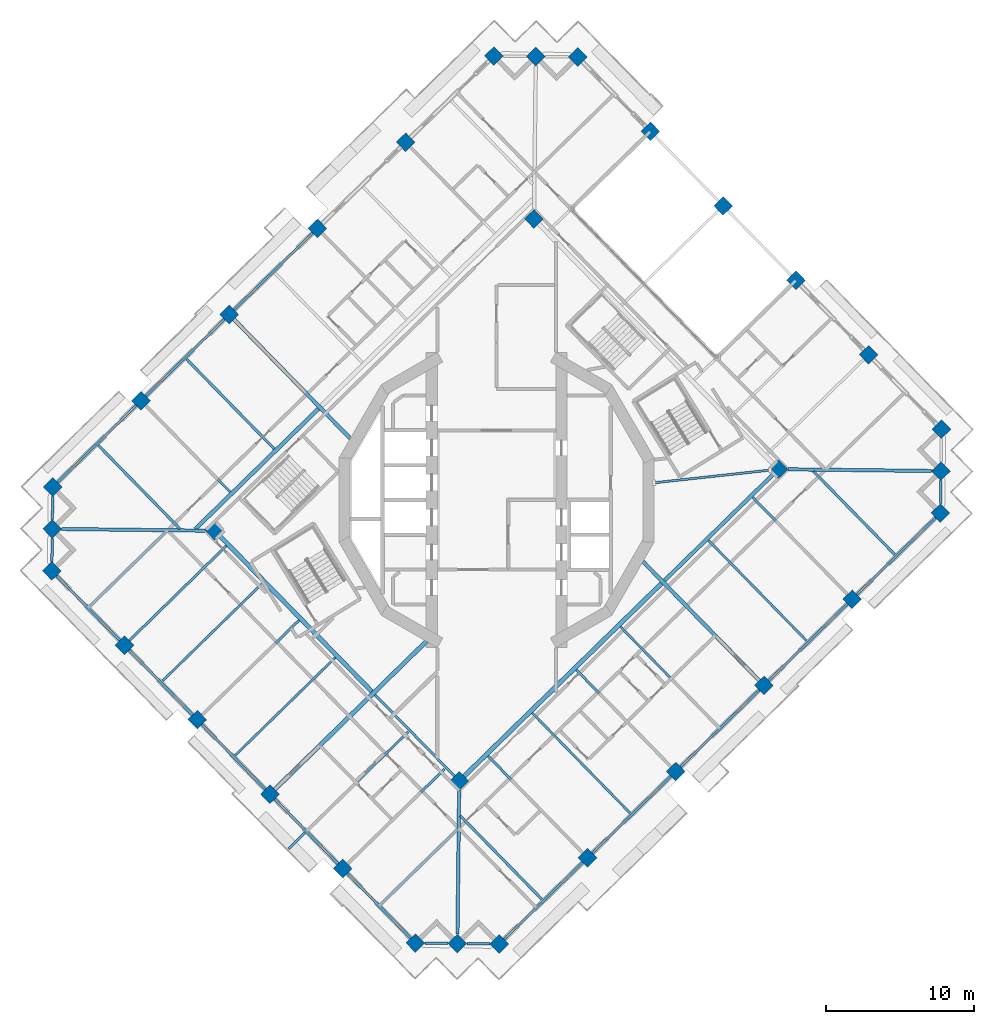
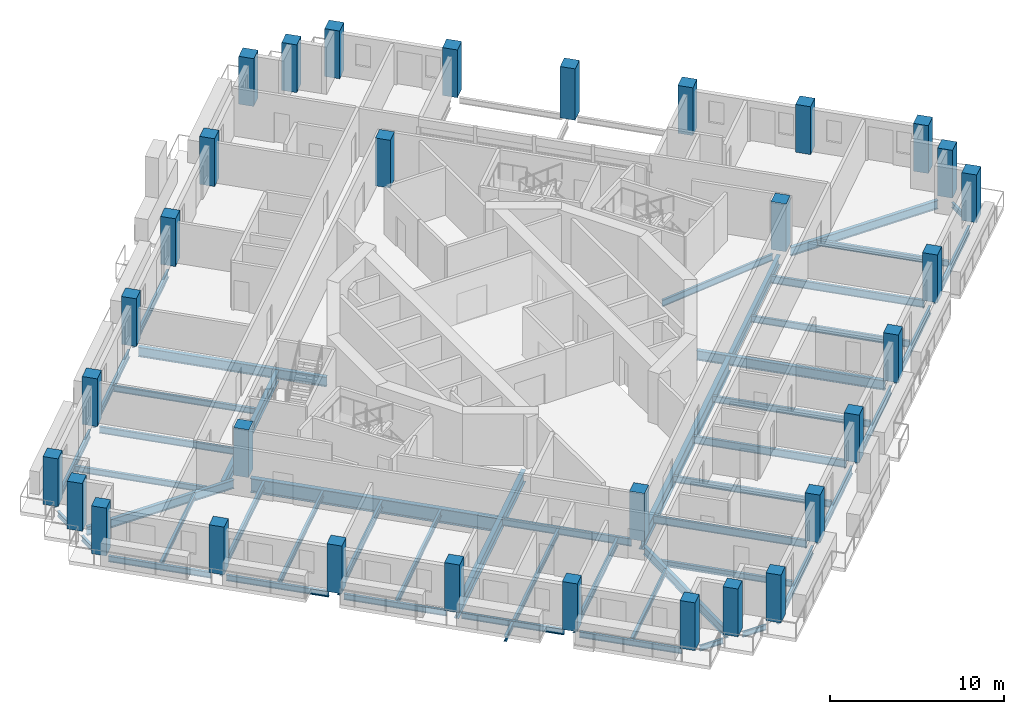
# One storey, part 1 of 20: 50 beams, 32 columns.
"""IFC4 building model written with IfcOpenShell, lengths in metres."""

import ifcopenshell
import ifcopenshell.guid

model = None  # the IFC model being written
_history = None  # IfcOwnerHistory: only IFC2X3 demands one
_inside = {}  # id of a spatial element -> (the spatial element, [elements in it])
_under = {}  # id of a project, library or spatial element -> (it, [spatial elements below it])
_declared = {}  # id of a project -> (the project, [libraries it declares])
_typed = {}  # id of a type object -> (the type object, [elements of that type])
_made_of = {}  # id of a material, layer set ... -> (it, [elements and type objects made of it])


def new_model(schema):
    """Start an empty IFC model of exactly this schema.

    Asked for "IFC4X3", IfcOpenShell would pick the latest addendum, in which some entities
    have other attributes; the version numbers below select the first issue.
    IFC2X3 requires an IfcOwnerHistory on every rooted entity: one is made here for all.
    """
    global model, _history
    if schema == "IFC4X3":
        model = ifcopenshell.file(schema_version=(4, 3, 0, 0))
    else:
        model = ifcopenshell.file(schema=schema)
    _inside.clear()
    _under.clear()
    _declared.clear()
    _typed.clear()
    _made_of.clear()
    _history = None
    if model.schema == "IFC2X3":
        org = make("IfcOrganization", Name="unknown")
        user = make(
            "IfcPersonAndOrganization",
            ThePerson=make("IfcPerson", FamilyName="unknown"),
            TheOrganization=org,
        )
        app = make(
            "IfcApplication",
            ApplicationDeveloper=org,
            Version="unknown",
            ApplicationFullName="unknown",
            ApplicationIdentifier="unknown",
        )
        _history = make(
            "IfcOwnerHistory",
            OwningUser=user,
            OwningApplication=app,
            ChangeAction="ADDED",
            CreationDate=0,
        )
    return model


def make(cls, **values):
    """One entity of the class cls with the attributes given. An attribute that is None is left unset."""
    return model.create_entity(
        cls, **{name: value for name, value in values.items() if value is not None}
    )


def rooted(cls, **values):
    """An entity with a GlobalId (a new one), such as an element, a storey or a relation."""
    return make(cls, GlobalId=ifcopenshell.guid.new(), OwnerHistory=_history, **values)


def si_unit(unit_type, name, prefix=None):
    """IfcSIUnit, for example si_unit("LENGTHUNIT", "METRE", prefix="MILLI")."""
    return make("IfcSIUnit", UnitType=unit_type, Prefix=prefix, Name=name)


def assignment(units):
    """IfcUnitAssignment: the units of a project."""
    return None if units is None else make("IfcUnitAssignment", Units=units)


def point(xyz):
    """IfcCartesianPoint."""
    return None if xyz is None else make("IfcCartesianPoint", Coordinates=xyz)


def direction(xyz):
    """IfcDirection."""
    return None if xyz is None else make("IfcDirection", DirectionRatios=xyz)


def frame(location, z_axis=None, x_axis=None):
    """IfcAxis2Placement3D, a coordinate frame: its origin and axes. An axis left out is left unset."""
    return make(
        "IfcAxis2Placement3D",
        Location=point(location),
        Axis=direction(z_axis),
        RefDirection=direction(x_axis),
    )


def frame_2d(location, x_axis=None):
    """IfcAxis2Placement2D, a coordinate frame in the plane: its origin and x axis."""
    return make(
        "IfcAxis2Placement2D", Location=point(location), RefDirection=direction(x_axis)
    )


def origin():
    """The frame at (0, 0, 0) with its axes left unset."""
    return frame((0.0, 0.0, 0.0))


def origin_2d():
    """The frame at (0, 0) in the plane with its x axis left unset."""
    return frame_2d((0.0, 0.0))


def place(relative_to, where):
    """IfcLocalPlacement: puts the frame where relative to a parent placement (None: the world)."""
    return make(
        "IfcLocalPlacement", PlacementRelTo=relative_to, RelativePlacement=where
    )


def context(
    kind, dimensions, precision=None, world=None, true_north=None, identifier=None
):
    """IfcGeometricRepresentationContext, for example the 3D "Model" context."""
    return make(
        "IfcGeometricRepresentationContext",
        ContextIdentifier=identifier,
        ContextType=kind,
        CoordinateSpaceDimension=dimensions,
        Precision=precision,
        WorldCoordinateSystem=world,
        TrueNorth=true_north,
    )


def subcontext(parent, identifier, kind, view, scale=None):
    """IfcGeometricRepresentationSubContext, for example "Body" below "Model"."""
    return make(
        "IfcGeometricRepresentationSubContext",
        ContextIdentifier=identifier,
        ContextType=kind,
        ParentContext=parent,
        TargetScale=scale,
        TargetView=view,
    )


def project(units=None, contexts=None):
    """IfcProject with its units and contexts."""
    return rooted(
        "IfcProject",
        Name="project",
        RepresentationContexts=contexts,
        UnitsInContext=assignment(units),
    )


def spatial(cls, under=None, at=None, **own):
    """A site, building, storey or space (cls), placed at a placement, below another one or the project."""
    s = rooted(cls, ObjectPlacement=at, **own)
    if under is not None:
        _under.setdefault(under.id(), (under, []))[1].append(s)
    return s


def profile(cls, at=None, kind="AREA", **sizes):
    """A parametric profile (cls). Its sizes go by their IFC names, for example OverallWidth=200.0."""
    return make(cls, ProfileType=kind, Position=at, **sizes)


def rectangle(**sizes):
    """IfcRectangleProfileDef."""
    return profile("IfcRectangleProfileDef", **sizes)


def i_section(**sizes):
    """IfcIShapeProfileDef."""
    return profile("IfcIShapeProfileDef", **sizes)


def extrude(swept, where, along, depth):
    """IfcExtrudedAreaSolid: the profile swept, set in the frame where, extruded along a direction by depth."""
    return make(
        "IfcExtrudedAreaSolid",
        SweptArea=swept,
        Position=where,
        ExtrudedDirection=direction(along),
        Depth=depth,
    )


def shape(context_of_items, identifier, shape_type, items):
    """IfcShapeRepresentation: the items that make up one representation, for example the "Body"."""
    return make(
        "IfcShapeRepresentation",
        ContextOfItems=context_of_items,
        RepresentationIdentifier=identifier,
        RepresentationType=shape_type,
        Items=items,
    )


def material(Name=None, Category=None):
    """IfcMaterial."""
    return make("IfcMaterial", Name=Name, Category=Category)


def material_profile(
    of_material, cross_section, Name=None, Category=None, Priority=None
):
    """IfcMaterialProfile: a cross section and its material."""
    return make(
        "IfcMaterialProfile",
        Name=Name,
        Material=of_material,
        Profile=cross_section,
        Priority=Priority,
        Category=Category,
    )


def profile_set(profiles, Name=None, composite=None):
    """IfcMaterialProfileSet."""
    return make(
        "IfcMaterialProfileSet",
        Name=Name,
        MaterialProfiles=profiles,
        CompositeProfile=composite,
    )


def made_of(thing, what):
    """Note that an element or type object is made of a material, layer set ...; save() writes the relation."""
    if what is not None:
        _made_of.setdefault(what.id(), (what, []))[1].append(thing)
    return thing


def type_object(cls, material=None, **own):
    """A type object (cls), such as IfcWallType, which elements share."""
    return made_of(rooted(cls, **own), material)


def element(
    cls,
    number,
    at=None,
    inside=None,
    cuts=None,
    type_object=None,
    material=None,
    context=None,
    identifier="Body",
    shape_type=None,
    held_by="IfcProductDefinitionShape",
    body=None,
    shapes=None,
    **own,
):
    """One element of the class cls, such as IfcWall. Its Tag is "e" and its number.

    at: its placement. inside: the storey or other place that contains it. cuts: it is an
    opening in that element (IfcRelVoidsElement). A single representation is given by context,
    identifier, shape_type and body (its items); several are given by shapes. held_by: the class
    of the entity that holds the representations. save() writes the other relations.
    """
    e = rooted(cls, Tag="e%d" % number, ObjectPlacement=at, **own)
    if body is not None:
        shapes = [shape(context, identifier, shape_type, body)]
    if shapes is not None:
        e.Representation = make(held_by, Representations=shapes)
    if inside is not None:
        _inside.setdefault(inside.id(), (inside, []))[1].append(e)
    if cuts is not None:
        rooted(
            "IfcRelVoidsElement", RelatingBuildingElement=cuts, RelatedOpeningElement=e
        )
    if type_object is not None:
        _typed.setdefault(type_object.id(), (type_object, []))[1].append(e)
    return made_of(e, material)


def aggregate(whole, parts):
    """IfcRelAggregates: a whole, such as a stair, and the parts it consists of."""
    return rooted("IfcRelAggregates", RelatingObject=whole, RelatedObjects=parts)


def save(model, path):
    """Write the relations noted so far, then the file.

    IfcRelAggregates (storeys below a building ...), IfcRelContainedInSpatialStructure (elements
    in a storey), IfcRelDefinesByType, IfcRelAssociatesMaterial and IfcRelDeclares: one each for
    every whole, place, type object, material and project.
    """
    for whole, parts in _under.values():
        aggregate(whole, parts)
    for where, things in _inside.values():
        rooted(
            "IfcRelContainedInSpatialStructure",
            RelatedElements=things,
            RelatingStructure=where,
        )
    for kind, things in _typed.values():
        rooted("IfcRelDefinesByType", RelatedObjects=things, RelatingType=kind)
    for what, things in _made_of.values():
        rooted("IfcRelAssociatesMaterial", RelatedObjects=things, RelatingMaterial=what)
    for by, libraries in _declared.values():
        rooted("IfcRelDeclares", RelatingContext=by, RelatedDefinitions=libraries)
    model.write(path)


model = new_model("IFC4")

# Units and contexts
model_context = context("Model", 3, precision=1e-05, world=origin(), true_north=direction((0.0, 1.0)))
body_context = subcontext(model_context, "Body", "Model", "MODEL_VIEW")
ifc_project = project(units=[si_unit("LENGTHUNIT", "METRE"), si_unit("AREAUNIT", "SQUARE_METRE"), si_unit("VOLUMEUNIT", "CUBIC_METRE"), si_unit("PLANEANGLEUNIT", "RADIAN"), si_unit("MASSUNIT", "GRAM", prefix="KILO")], contexts=[model_context])

# Site, building, storey
site_placement = place(None, origin())
site = spatial("IfcSite", under=ifc_project, at=site_placement, CompositionType="ELEMENT")
building_placement = place(site_placement, origin())
building = spatial("IfcBuilding", under=site, at=building_placement, Name="Cantera Rosa Tower", CompositionType="ELEMENT")
storey_placement = place(building_placement, frame((0.0, 0.0, 212.60009765625)))
storey = spatial("IfcBuildingStorey", under=building, at=storey_placement, Name="L45", CompositionType="ELEMENT", Elevation=212.60009765625)

# Columns
ifc_material_1 = material(Name="Concrete C60/75", Category="concrete")
ifc_material_profile_1 = material_profile(ifc_material_1, rectangle(XDim=0.89990234375, YDim=0.89990234375, at=origin_2d()), Name="RC COLUMN RC900X900 C60/75")
ifc_profile_set_1 = profile_set([ifc_material_profile_1], Name="Concrete C60/75")
column_type_1 = type_object("IfcColumnType", Name="RC COLUMN RC900X900 C60/75", PredefinedType="COLUMN", material=ifc_profile_set_1)
for number, where, z_axis, x_axis, name in (
    (1, (30.003662109375, 4.77783203125, 0.0), (0.0, 0.0, 1.0), (0.71528629107, 0.698831540364, 0.0), "C-Z4-01 L45"),
    (2, (25.097900390625, 9.799072265625, 0.0), (0.0, 0.0, 1.0), (0.71528629107, 0.698831540364, 0.0), "C-Z4-02 L45"),
    (3, (20.19189453125, 14.8203125, 0.0), (0.0, 0.0, 1.0), (0.71528629107, 0.698831540364, 0.0), "C-Z4-03 L45"),
):
    element("IfcColumn", number, at=place(storey_placement, frame(where, z_axis=z_axis, x_axis=x_axis)), inside=storey, type_object=column_type_1, Name=name, PredefinedType="COLUMN", context=body_context, shape_type="SweptSolid", body=[
        extrude(rectangle(XDim=0.89990234375, YDim=0.89990234375, at=origin_2d()), origin(), (0.0, 0.0, 1.0), 3.349853515625),
    ])
column_placement = place(storey_placement, frame((15.2861328125, 19.841796875, -0.25), z_axis=(0.0, 0.0, 1.0), x_axis=(0.71528629107, 0.698831540364, 0.0)))
element("IfcColumn", 4, at=column_placement, inside=storey, type_object=column_type_1, Name="C-Z4-04 L45", PredefinedType="COLUMN", context=body_context, shape_type="SweptSolid", body=[
    extrude(rectangle(XDim=0.89990234375, YDim=0.89990234375, at=origin_2d()), origin(), (0.0, 0.0, 1.0), 3.599853515625),
])
for number, where, z_axis, x_axis, name in (
    (5, (10.38037109375, 24.863037109375, 0.0), (0.0, 0.0, 1.0), (0.71528629107, 0.698831540364, 0.0), "C-Z4-05 L45"),
    (6, (5.474609375, 29.88427734375, 0.0), (0.0, 0.0, 1.0), (0.71528629107, 0.698831540364, 0.0), "C-Z4-06 L45"),
    (7, (2.646484375, 29.917236328125, 0.0), (0.0, 0.0, 1.0), (0.71528629107, 0.698831540364, 0.0), "C-Z4-07 L45"),
    (8, (-0.181884765625, 29.9501953125, 0.0), (0.0, 0.0, 1.0), (0.71528629107, 0.698831540364, 0.0), "C-Z4-08 L45"),
    (9, (-6.133056640625, 24.1357421875, 0.0), (0.0, 0.0, 1.0), (0.71528629107, 0.698831540364, 0.0), "C-Z4-09 L45"),
    (10, (-12.084228515625, 18.321533203125, 0.0), (0.0, 0.0, 1.0), (0.71528629107, 0.698831540364, 0.0), "C-Z4-10 L45"),
    (11, (-18.035400390625, 12.50732421875, 0.0), (0.0, 0.0, 1.0), (0.71528629107, 0.698831540364, 0.0), "C-Z4-11 L45"),
    (12, (-23.986572265625, 6.693115234375, 0.0), (0.0, 0.0, 1.0), (0.71528629107, 0.698831540364, 0.0), "C-Z4-12 L45"),
    (13, (-29.937744140625, 0.878662109375, 0.0), (0.0, 0.0, 1.0), (0.71528629107, 0.698831540364, 0.0), "C-Z4-13 L45"),
    (14, (-29.970703125, -1.949462890625, 0.0), (0.0, 0.0, 1.0), (0.71528629107, 0.698831540364, 0.0), "C-Z4-14 L45"),
    (15, (-30.003662109375, -4.77783203125, 0.0), (0.0, 0.0, 1.0), (0.71528629107, 0.698831540364, 0.0), "C-Z4-15 L45"),
    (16, (-25.097900390625, -9.799072265625, 0.0), (0.0, 0.0, 1.0), (0.71528629107, 0.698831540364, 0.0), "C-Z4-16 L45"),
    (17, (-20.19189453125, -14.8203125, 0.0), (0.0, 0.0, 1.0), (0.71528629107, 0.698831540364, 0.0), "C-Z4-17 L45"),
    (18, (-15.2861328125, -19.841796875, 0.0), (0.0, 0.0, 1.0), (0.71528629107, 0.698831540364, 0.0), "C-Z4-18 L45"),
    (19, (-10.38037109375, -24.863037109375, 0.0), (0.0, 0.0, 1.0), (0.71528629107, 0.698831540364, 0.0), "C-Z4-19 L45"),
    (20, (-5.474609375, -29.88427734375, 0.0), (0.0, 0.0, 1.0), (0.71528629107, 0.698831540364, 0.0), "C-Z4-20 L45"),
    (21, (-2.646484375, -29.917236328125, 0.0), (0.0, 0.0, 1.0), (0.71528629107, 0.698831540364, 0.0), "C-Z4-21 L45"),
    (22, (0.181884765625, -29.9501953125, 0.0), (0.0, 0.0, 1.0), (0.71528629107, 0.698831540364, 0.0), "C-Z4-22 L45"),
    (23, (6.133056640625, -24.1357421875, 0.0), (0.0, 0.0, 1.0), (0.71528629107, 0.698831540364, 0.0), "C-Z4-23 L45"),
    (24, (12.084228515625, -18.321533203125, 0.0), (0.0, 0.0, 1.0), (0.71528629107, 0.698831540364, 0.0), "C-Z4-24 L45"),
    (25, (18.035400390625, -12.50732421875, 0.0), (0.0, 0.0, 1.0), (0.71528629107, 0.698831540364, 0.0), "C-Z4-25 L45"),
    (26, (23.986572265625, -6.693115234375, 0.0), (0.0, 0.0, 1.0), (0.71528629107, 0.698831540364, 0.0), "C-Z4-26 L45"),
    (27, (29.937744140625, -0.878662109375, 0.0), (0.0, 0.0, 1.0), (0.71528629107, 0.698831540364, 0.0), "C-Z4-27 L45"),
    (28, (29.970703125, 1.949462890625, 0.0), (0.0, 0.0, 1.0), (0.71528629107, 0.698831540364, 0.0), "C-Z4-28 L45"),
):
    element("IfcColumn", number, at=place(storey_placement, frame(where, z_axis=z_axis, x_axis=x_axis)), inside=storey, type_object=column_type_1, Name=name, PredefinedType="COLUMN", context=body_context, shape_type="SweptSolid", body=[
        extrude(rectangle(XDim=0.89990234375, YDim=0.89990234375, at=origin_2d()), origin(), (0.0, 0.0, 1.0), 3.349853515625),
    ])
ifc_material_2 = material(Name="Concrete C60/75", Category="concrete")
ifc_material_profile_2 = material_profile(ifc_material_2, rectangle(XDim=0.89990234375, YDim=0.89990234375, at=origin_2d()), Name="RC RING COLUMN RC900X900 C60/75")
ifc_profile_set_2 = profile_set([ifc_material_profile_2], Name="Concrete C60/75")
column_type_2 = type_object("IfcColumnType", Name="RC RING COLUMN RC900X900 C60/75", PredefinedType="COLUMN", material=ifc_profile_set_2)
for number, where, z_axis, x_axis, name in (
    (29, (2.518798828125, 18.957763671875, 0.0), (0.0, 0.0, 1.0), (0.71528629107, 0.698831540364, 0.0), "CI-Z4-1 L45"),
    (30, (-19.01123046875, -2.0771484375, 0.0), (0.0, 0.0, 1.0), (0.71528629107, 0.698831540364, 0.0), "CI-Z4-2 L45"),
    (31, (-2.518798828125, -18.957763671875, 0.0), (0.0, 0.0, 1.0), (0.71528629107, 0.698831540364, 0.0), "CI-Z4-3 L45"),
    (32, (19.01123046875, 2.0771484375, 0.0), (0.0, 0.0, 1.0), (0.71528629107, 0.698831540364, 0.0), "CI-Z4-4 L45"),
):
    element("IfcColumn", number, at=place(storey_placement, frame(where, z_axis=z_axis, x_axis=x_axis)), inside=storey, type_object=column_type_2, Name=name, PredefinedType="COLUMN", context=body_context, shape_type="SweptSolid", body=[
        extrude(rectangle(XDim=0.89990234375, YDim=0.89990234375, at=origin_2d()), origin(), (0.0, 0.0, 1.0), 3.349853515625),
    ])

# Beams
ifc_material_3 = material(Name="Steel ASTM A992 (Fy 345 MPa)", Category="steel")
ifc_material_profile_3 = material_profile(ifc_material_3, i_section(OverallWidth=0.300048828125, OverallDepth=0.990966796875, WebThickness=0.0166015625, FlangeThickness=0.030517578125, FilletRadius=0.030029296875, at=origin_2d()), Name="W1000X272")
ifc_profile_set_3 = profile_set([ifc_material_profile_3], Name="Steel ASTM A992 (Fy 345 MPa)")
beam_type_1 = type_object("IfcBeamType", Name="STEEL BEAM W1000X272", PredefinedType="BEAM", material=ifc_profile_set_3)
beam_1_placement = place(storey_placement, frame((-8.4169921875, -12.9208984375, -0.74560546875), z_axis=(-0.698826825527, 0.715290897415, 0.0), x_axis=(-0.715290897415, -0.698826825527, 0.0)))
element("IfcBeam", 33, at=beam_1_placement, inside=storey, type_object=beam_type_1, Name="RB-Z4-07 L45", PredefinedType="BEAM", context=body_context, shape_type="SweptSolid", body=[
    extrude(i_section(OverallWidth=0.300048828125, OverallDepth=0.990966796875, WebThickness=0.0166015625, FlangeThickness=0.030517578125, FilletRadius=0.030029296875, at=origin_2d()), origin(), (0.0, 0.0, 1.0), 14.7099609375),
])
ifc_material_4 = material(Name="Steel ASTM A992 (Fy 345 MPa)", Category="steel")
ifc_material_profile_4 = material_profile(ifc_material_4, i_section(OverallWidth=0.302001953125, OverallDepth=1.010009765625, WebThickness=0.02099609375, FlangeThickness=0.0400390625, FilletRadius=0.030029296875, at=origin_2d()), Name="W1000X350")
ifc_profile_set_4 = profile_set([ifc_material_profile_4], Name="Steel ASTM A992 (Fy 345 MPa)")
beam_type_2 = type_object("IfcBeamType", Name="STEEL BEAM W1000X350", PredefinedType="BEAM", material=ifc_profile_set_4)
beam_2_placement = place(storey_placement, frame((-2.197021484375, -18.643310546875, -0.755126953125), z_axis=(0.715290925107, 0.698826797182, 0.0), x_axis=(-0.698826797182, 0.715290925107, 0.0)))
element("IfcBeam", 34, at=beam_2_placement, inside=storey, type_object=beam_type_2, Name="RB-Z4-03 L45", PredefinedType="BEAM", context=body_context, shape_type="SweptSolid", body=[
    extrude(i_section(OverallWidth=0.302001953125, OverallDepth=1.010009765625, WebThickness=0.02099609375, FlangeThickness=0.0400390625, FilletRadius=0.030029296875, at=origin_2d()), origin(), (0.0, 0.0, 1.0), 18.60986328125),
])
ifc_material_5 = material(Name="Steel ASTM A992 (Fy 345 MPa)", Category="steel")
ifc_material_profile_5 = material_profile(ifc_material_5, i_section(OverallWidth=0.154052734375, OverallDepth=0.4599609375, WebThickness=0.009033203125, FlangeThickness=0.015380859375, FilletRadius=0.01025390625, at=origin_2d()), Name="W460X68")
ifc_profile_set_5 = profile_set([ifc_material_profile_5], Name="Steel ASTM A992 (Fy 345 MPa)")
beam_type_3 = type_object("IfcBeamType", Name="STEEL BEAM W460X68", PredefinedType="BEAM", material=ifc_profile_set_5)
beam_3_placement = place(storey_placement, frame((-23.672119140625, 6.37109375, -0.47998046875), z_axis=(0.698836133494, -0.715281803574, 0.0), x_axis=(0.715281803574, 0.698836133494, 0.0)))
element("IfcBeam", 35, at=beam_3_placement, inside=storey, type_object=beam_type_3, Name="G-Z4-08 L45", PredefinedType="BEAM", context=body_context, shape_type="SweptSolid", body=[
    extrude(i_section(OverallWidth=0.154052734375, OverallDepth=0.4599609375, WebThickness=0.009033203125, FlangeThickness=0.015380859375, FilletRadius=0.01025390625, at=origin_2d()), origin(), (0.0, 0.0, 1.0), 8.150146484375),
])
beam_4_placement = place(storey_placement, frame((18.44287109375, 2.014892578125, -0.47998046875), z_axis=(-0.994086100692, -0.108594771563, 0.0), x_axis=(0.108594771563, -0.994086100692, 0.0)))
element("IfcBeam", 36, at=beam_4_placement, inside=storey, type_object=beam_type_3, Name="PG-Z4-01 L45", PredefinedType="BEAM", context=body_context, shape_type="SweptSolid", body=[
    extrude(i_section(OverallWidth=0.154052734375, OverallDepth=0.4599609375, WebThickness=0.009033203125, FlangeThickness=0.015380859375, FilletRadius=0.01025390625, at=origin_2d()), origin(), (0.0, 0.0, 1.0), 7.864013671875),
])
ifc_material_6 = material(Name="Steel ASTM A992 (Fy 345 MPa)", Category="steel")
ifc_material_profile_6 = material_profile(ifc_material_6, i_section(OverallWidth=0.166015625, OverallDepth=0.528076171875, WebThickness=0.009765625, FlangeThickness=0.013671875, FilletRadius=0.0126953125, at=origin_2d()), Name="W530X74")
ifc_profile_set_6 = profile_set([ifc_material_profile_6], Name="Steel ASTM A992 (Fy 345 MPa)")
beam_type_4 = type_object("IfcBeamType", Name="STEEL BEAM W530X74", PredefinedType="BEAM", material=ifc_profile_set_6)
for number, where, z_axis, x_axis, name in (
    (37, (5.818603515625, -23.81396484375, -0.51416015625), (-0.698827481213, 0.71529025682, 0.0), (-0.71529025682, -0.698827481213, 0.0), "G-Z4-09 L45"),
    (38, (11.769775390625, -17.999755859375, -0.51416015625), (-0.698827481213, 0.71529025682, 0.0), (-0.71529025682, -0.698827481213, 0.0), "G-Z4-10 L45"),
    (39, (23.672119140625, -6.37109375, -0.51416015625), (-0.698827481213, 0.71529025682, 0.0), (-0.71529025682, -0.698827481213, 0.0), "G-Z4-12 L45"),
    (40, (-24.77587890625, -9.484619140625, -0.51416015625), (0.71529025682, 0.698827481213, 0.0), (-0.698827481213, 0.71529025682, 0.0), "G-Z4-13 L45"),
    (41, (-19.8701171875, -14.505859375, -0.51416015625), (0.71529025682, 0.698827481213, 0.0), (-0.698827481213, 0.71529025682, 0.0), "G-Z4-14 L45"),
    (42, (-10.05859375, -24.548583984375, -0.51416015625), (0.71529025682, 0.698827481213, 0.0), (-0.698827481213, 0.71529025682, 0.0), "G-Z4-16 L45"),
):
    element("IfcBeam", number, at=place(storey_placement, frame(where, z_axis=z_axis, x_axis=x_axis)), inside=storey, type_object=beam_type_4, Name=name, PredefinedType="BEAM", context=body_context, shape_type="SweptSolid", body=[
        extrude(i_section(OverallWidth=0.166015625, OverallDepth=0.528076171875, WebThickness=0.009765625, FlangeThickness=0.013671875, FilletRadius=0.0126953125, at=origin_2d()), origin(), (0.0, 0.0, 1.0), 9.14990234375),
    ])
beam_5_placement = place(storey_placement, frame((-2.833251953125, -18.635986328125, -0.51416015625), z_axis=(-0.698820376914, 0.71529719754, 0.0), x_axis=(-0.71529719754, -0.698820376914, 0.0)))
element("IfcBeam", 43, at=beam_5_placement, inside=storey, type_object=beam_type_4, Name="RB-Z4-06 L45", PredefinedType="BEAM", context=body_context, shape_type="SweptSolid", body=[
    extrude(i_section(OverallWidth=0.166015625, OverallDepth=0.528076171875, WebThickness=0.009765625, FlangeThickness=0.013671875, FilletRadius=0.0126953125, at=origin_2d()), origin(), (0.0, 0.0, 1.0), 7.690185546875),
])
ifc_material_7 = material(Name="Steel ASTM A992 (Fy 345 MPa)", Category="steel")
ifc_material_profile_7 = material_profile(ifc_material_7, i_section(OverallWidth=0.22802734375, OverallDepth=0.60205078125, WebThickness=0.010498046875, FlangeThickness=0.014892578125, FilletRadius=0.0126953125, at=origin_2d()), Name="W610X101")
ifc_profile_set_7 = profile_set([ifc_material_profile_7], Name="Steel ASTM A992 (Fy 345 MPa)")
beam_type_5 = type_object("IfcBeamType", Name="STEEL BEAM W610X101", PredefinedType="BEAM", material=ifc_profile_set_7)
for number, where, z_axis, x_axis, name in (
    (44, (-29.334228515625, -1.95703125, -0.551025390625), (0.999932504919, -0.011618330597, 0.0), (0.011618330597, 0.999932504919, 0.0), "CB-Z4-02 L45"),
    (45, (-2.638916015625, -29.28076171875, -0.551025390625), (0.011618330597, 0.999932504919, 0.0), (-0.999932504919, 0.011618330597, 0.0), "CB-Z4-03 L45"),
    (46, (29.334228515625, 1.95703125, -0.551025390625), (-0.999932504919, 0.011618330597, 0.0), (-0.011618330597, -0.999932504919, 0.0), "CB-Z4-04 L45"),
):
    element("IfcBeam", number, at=place(storey_placement, frame(where, z_axis=z_axis, x_axis=x_axis)), inside=storey, type_object=beam_type_5, Name=name, PredefinedType="BEAM", context=body_context, shape_type="SweptSolid", body=[
        extrude(i_section(OverallWidth=0.22802734375, OverallDepth=0.60205078125, WebThickness=0.010498046875, FlangeThickness=0.014892578125, FilletRadius=0.0126953125, at=origin_2d()), origin(), (0.0, 0.0, 1.0), 9.687255859375),
    ])
ifc_material_8 = material(Name="Steel ASTM A992 (Fy 345 MPa)", Category="steel")
ifc_material_profile_8 = material_profile(ifc_material_8, i_section(OverallWidth=0.25390625, OverallDepth=0.677978515625, WebThickness=0.01171875, FlangeThickness=0.016357421875, FilletRadius=0.01513671875, at=origin_2d()), Name="W690X125")
ifc_profile_set_8 = profile_set([ifc_material_profile_8], Name="Steel ASTM A992 (Fy 345 MPa)")
beam_type_6 = type_object("IfcBeamType", Name="STEEL BEAM W690X125", PredefinedType="BEAM", material=ifc_profile_set_8)
for number, where, z_axis, x_axis, name in (
    (47, (-17.720947265625, 12.185302734375, -0.589111328125), (0.698831358516, -0.715286468734, 0.0), (0.715286468734, 0.698831358516, 0.0), "G-Z4-07 L45"),
    (48, (17.720947265625, -12.185302734375, -0.589111328125), (-0.698831358516, 0.715286468734, 0.0), (-0.715286468734, -0.698831358516, 0.0), "G-Z4-11 L45"),
):
    element("IfcBeam", number, at=place(storey_placement, frame(where, z_axis=z_axis, x_axis=x_axis)), inside=storey, type_object=beam_type_6, Name=name, PredefinedType="BEAM", context=body_context, shape_type="SweptSolid", body=[
        extrude(i_section(OverallWidth=0.25390625, OverallDepth=0.677978515625, WebThickness=0.01171875, FlangeThickness=0.016357421875, FilletRadius=0.01513671875, at=origin_2d()), origin(), (0.0, 0.0, 1.0), 11.2314453125),
    ])
beam_6_placement = place(storey_placement, frame((11.3291015625, -5.428466796875, -0.589111328125), z_axis=(0.715291776896, 0.698825925324, 0.0), x_axis=(-0.698825925324, 0.715291776896, 0.0)))
element("IfcBeam", 49, at=beam_6_placement, inside=storey, type_object=beam_type_6, Name="RB-Z4-04 L45", PredefinedType="BEAM", context=body_context, shape_type="SweptSolid", body=[
    extrude(i_section(OverallWidth=0.25390625, OverallDepth=0.677978515625, WebThickness=0.01171875, FlangeThickness=0.016357421875, FilletRadius=0.01513671875, at=origin_2d()), origin(), (0.0, 0.0, 1.0), 10.2900390625),
])
ifc_material_9 = material(Name="Steel ASTM A992 (Fy 345 MPa)", Category="steel")
ifc_material_profile_9 = material_profile(ifc_material_9, i_section(OverallWidth=0.26708984375, OverallDepth=0.75390625, WebThickness=0.01318359375, FlangeThickness=0.01708984375, FilletRadius=0.0166015625, at=origin_2d()), Name="W760X147")
ifc_profile_set_9 = profile_set([ifc_material_profile_9], Name="Steel ASTM A992 (Fy 345 MPa)")
beam_type_7 = type_object("IfcBeamType", Name="STEEL BEAM W760X147", PredefinedType="BEAM", material=ifc_profile_set_9)
beam_7_placement = place(storey_placement, frame((-20.318115234375, -1.955810546875, -0.627197265625), z_axis=(0.715284592672, 0.698833278749, 0.0), x_axis=(-0.698833278749, 0.715284592672, 0.0)))
element("IfcBeam", 50, at=beam_7_placement, inside=storey, type_object=beam_type_7, Name="RB-Z4-01 L45", PredefinedType="BEAM", context=body_context, shape_type="SweptSolid", body=[
    extrude(i_section(OverallWidth=0.26708984375, OverallDepth=0.75390625, WebThickness=0.01318359375, FlangeThickness=0.01708984375, FilletRadius=0.0166015625, at=origin_2d()), origin(), (0.0, 0.0, 1.0), 11.590087890625),
])
ifc_material_10 = material(Name="Steel ASTM A992 (Fy 345 MPa)", Category="steel")
ifc_material_profile_10 = material_profile(ifc_material_10, i_section(OverallWidth=0.2919921875, OverallDepth=0.8359375, WebThickness=0.013916015625, FlangeThickness=0.018798828125, FilletRadius=0.017822265625, at=origin_2d()), Name="W840X176")
ifc_profile_set_10 = profile_set([ifc_material_profile_10], Name="Steel ASTM A992 (Fy 345 MPa)")
beam_type_8 = type_object("IfcBeamType", Name="STEEL BEAM W840X176", PredefinedType="BEAM", material=ifc_profile_set_10)
beam_8_placement = place(storey_placement, frame((-14.96435546875, -19.527099609375, -0.668212890625), z_axis=(0.715288446628, 0.698829334045, 0.0), x_axis=(-0.698829334045, 0.715288446628, 0.0)))
element("IfcBeam", 51, at=beam_8_placement, inside=storey, type_object=beam_type_8, Name="G-Z4-15 L45", PredefinedType="BEAM", context=body_context, shape_type="SweptSolid", body=[
    extrude(i_section(OverallWidth=0.2919921875, OverallDepth=0.8359375, WebThickness=0.013916015625, FlangeThickness=0.018798828125, FilletRadius=0.017822265625, at=origin_2d()), origin(), (0.0, 0.0, 1.0), 14.299072265625),
])
ifc_material_11 = material(Name="Steel ASTM A992 (Fy 345 MPa)", Category="steel")
ifc_material_profile_11 = material_profile(ifc_material_11, i_section(OverallWidth=0.1708984375, OverallDepth=0.35595703125, WebThickness=0.00732421875, FlangeThickness=0.01171875, FilletRadius=0.010009765625, at=origin_2d()), Name="W360X51")
ifc_profile_set_11 = profile_set([ifc_material_profile_11], Name="Steel ASTM A992 (Fy 345 MPa)")
beam_type_9 = type_object("IfcBeamType", Name="STEEL JOIST W360X51", PredefinedType="JOIST", material=ifc_profile_set_11)
for number, where, z_axis, x_axis, name in (
    (52, (-27.443359375, -7.18359375, -0.427978515625), (0.715287213552, 0.69883059616, 0.0), (-0.69883059616, 0.715287213552, 0.0), "B-Z4-16 L45"),
    (53, (-7.8203125, -27.268798828125, -0.427978515625), (0.715287213552, 0.69883059616, 0.0), (-0.69883059616, 0.715287213552, 0.0), "B-Z4-20 L45"),
):
    element("IfcBeam", number, at=place(storey_placement, frame(where, z_axis=z_axis, x_axis=x_axis)), inside=storey, type_object=beam_type_9, Name=name, PredefinedType="JOIST", context=body_context, shape_type="SweptSolid", body=[
        extrude(i_section(OverallWidth=0.1708984375, OverallDepth=0.35595703125, WebThickness=0.00732421875, FlangeThickness=0.01171875, FilletRadius=0.010009765625, at=origin_2d()), origin(), (0.0, 0.0, 1.0), 7.2099609375),
    ])
beam_9_placement = place(storey_placement, frame((-12.92626953125, -22.443115234375, -0.427978515625), z_axis=(-0.715306775654, -0.698810572833, 0.0), x_axis=(0.698810572833, -0.715306775654, 0.0)))
element("IfcBeam", 54, at=beam_9_placement, inside=storey, type_object=beam_type_9, Name="BS-Z4-02 L45", PredefinedType="JOIST", context=body_context, shape_type="SweptSolid", body=[
    extrude(i_section(OverallWidth=0.1708984375, OverallDepth=0.35595703125, WebThickness=0.00732421875, FlangeThickness=0.01171875, FilletRadius=0.010009765625, at=origin_2d()), origin(), (0.0, 0.0, 1.0), 1.553955078125),
])
ifc_material_12 = material(Name="Steel ASTM A992 (Fy 345 MPa)", Category="steel")
ifc_material_profile_12 = material_profile(ifc_material_12, i_section(OverallWidth=0.177978515625, OverallDepth=0.406005859375, WebThickness=0.0078125, FlangeThickness=0.0126953125, FilletRadius=0.01025390625, at=origin_2d()), Name="W410X60")
ifc_profile_set_12 = profile_set([ifc_material_profile_12], Name="Steel ASTM A992 (Fy 345 MPa)")
beam_type_10 = type_object("IfcBeamType", Name="STEEL JOIST W410X60", PredefinedType="JOIST", material=ifc_profile_set_12)
beam_10_placement = place(storey_placement, frame((-20.90625, 9.492919921875, -0.453125), z_axis=(0.698839235604, -0.715278772774, 0.0), x_axis=(0.715278772774, 0.698839235604, 0.0)))
element("IfcBeam", 55, at=beam_10_placement, inside=storey, type_object=beam_type_10, Name="B-Z4-09 L45", PredefinedType="JOIST", context=body_context, shape_type="SweptSolid", body=[
    extrude(i_section(OverallWidth=0.177978515625, OverallDepth=0.406005859375, WebThickness=0.0078125, FlangeThickness=0.0126953125, FilletRadius=0.01025390625, at=origin_2d()), origin(), (0.0, 0.0, 1.0), 8.4501953125),
])
for number, where, z_axis, x_axis, name in (
    (56, (-26.857421875, 3.678466796875, -0.453125), (0.698843394481, -0.715274709458, 0.0), (0.715274709458, 0.698843394481, 0.0), "B-Z4-10 L45"),
    (57, (3.052734375, -26.935791015625, -0.453125), (-0.698827868311, 0.715289878631, 0.0), (-0.715289878631, -0.698827868311, 0.0), "B-Z4-11 L45"),
    (58, (26.857421875, -3.678466796875, -0.453125), (-0.698843394481, 0.715274709458, 0.0), (-0.715274709458, -0.698843394481, 0.0), "B-Z4-15 L45"),
):
    element("IfcBeam", number, at=place(storey_placement, frame(where, z_axis=z_axis, x_axis=x_axis)), inside=storey, type_object=beam_type_10, Name=name, PredefinedType="JOIST", context=body_context, shape_type="SweptSolid", body=[
        extrude(i_section(OverallWidth=0.177978515625, OverallDepth=0.406005859375, WebThickness=0.0078125, FlangeThickness=0.0126953125, FilletRadius=0.01025390625, at=origin_2d()), origin(), (0.0, 0.0, 1.0), 7.860107421875),
    ])
ifc_material_13 = material(Name="Steel ASTM A992 (Fy 345 MPa)", Category="steel")
ifc_material_profile_13 = material_profile(ifc_material_13, i_section(OverallWidth=0.154052734375, OverallDepth=0.4599609375, WebThickness=0.009033203125, FlangeThickness=0.015380859375, FilletRadius=0.01025390625, at=origin_2d()), Name="W460X68")
ifc_profile_set_13 = profile_set([ifc_material_profile_13], Name="Steel ASTM A992 (Fy 345 MPa)")
beam_type_11 = type_object("IfcBeamType", Name="STEEL JOIST W460X68", PredefinedType="JOIST", material=ifc_profile_set_13)
beam_11_placement = place(storey_placement, frame((9.00390625, -21.121337890625, -0.47998046875), z_axis=(-0.698843443844, 0.715274661229, 0.0), x_axis=(-0.715274661229, -0.698843443844, 0.0)))
element("IfcBeam", 59, at=beam_11_placement, inside=storey, type_object=beam_type_11, Name="B-Z4-12 L45", PredefinedType="JOIST", context=body_context, shape_type="SweptSolid", body=[
    extrude(i_section(OverallWidth=0.154052734375, OverallDepth=0.4599609375, WebThickness=0.009033203125, FlangeThickness=0.015380859375, FilletRadius=0.01025390625, at=origin_2d()), origin(), (0.0, 0.0, 1.0), 9.449951171875),
])
for number, where, z_axis, x_axis, name in (
    (60, (14.955078125, -15.30712890625, -0.47998046875), (-0.698830529832, 0.715287278354, 0.0), (-0.715287278354, -0.698830529832, 0.0), "B-Z4-13 L45"),
    (61, (20.90625, -9.492919921875, -0.47998046875), (-0.698830529832, 0.715287278354, 0.0), (-0.715287278354, -0.698830529832, 0.0), "B-Z4-14 L45"),
    (62, (-22.53759765625, -12.204833984375, -0.47998046875), (0.715287278354, 0.698830529832, 0.0), (-0.698830529832, 0.715287278354, 0.0), "B-Z4-17 L45"),
    (63, (-17.6318359375, -17.226318359375, -0.47998046875), (0.715287278354, 0.698830529832, 0.0), (-0.698830529832, 0.715287278354, 0.0), "B-Z4-18 L45"),
    (64, (-12.72607421875, -22.24755859375, -0.47998046875), (0.715287278354, 0.698830529832, 0.0), (-0.698830529832, 0.715287278354, 0.0), "B-Z4-19 L45"),
):
    element("IfcBeam", number, at=place(storey_placement, frame(where, z_axis=z_axis, x_axis=x_axis)), inside=storey, type_object=beam_type_11, Name=name, PredefinedType="JOIST", context=body_context, shape_type="SweptSolid", body=[
        extrude(i_section(OverallWidth=0.154052734375, OverallDepth=0.4599609375, WebThickness=0.009033203125, FlangeThickness=0.015380859375, FilletRadius=0.01025390625, at=origin_2d()), origin(), (0.0, 0.0, 1.0), 9.4501953125),
    ])
ifc_material_14 = material(Name="Steel ASTM A992 (Fy 345 MPa)", Category="steel")
ifc_material_profile_14 = material_profile(ifc_material_14, i_section(OverallWidth=0.1708984375, OverallDepth=0.35595703125, WebThickness=0.00732421875, FlangeThickness=0.01171875, FilletRadius=0.010009765625, at=origin_2d()), Name="W360X51")
ifc_profile_set_14 = profile_set([ifc_material_profile_14], Name="Steel ASTM A992 (Fy 345 MPa)")
beam_type_12 = type_object("IfcBeamType", Name="STEEL SPANDREL BEAM W360X51", PredefinedType="SPANDREL", material=ifc_profile_set_14)
beam_12_placement = place(storey_placement, frame((-29.945068359375, 0.242431640625, -0.427978515625), z_axis=(-0.011769429589, -0.999930737865, 0.0), x_axis=(0.999930737865, -0.011769429589, 0.0)))
element("IfcBeam", 65, at=beam_12_placement, inside=storey, type_object=beam_type_12, Name="EB-Z4-13 L45", PredefinedType="SPANDREL", context=body_context, shape_type="SweptSolid", body=[
    extrude(i_section(OverallWidth=0.1708984375, OverallDepth=0.35595703125, WebThickness=0.00732421875, FlangeThickness=0.01171875, FilletRadius=0.010009765625, at=origin_2d()), origin(), (0.0, 0.0, 1.0), 1.5556640625),
])
for number, where, z_axis, x_axis, name in (
    (66, (-29.97802734375, -2.5859375, -0.427978515625), (-0.011614347636, -0.99993255119, 0.0), (0.99993255119, -0.011614347636, 0.0), "EB-Z4-14 L45"),
    (67, (-4.838134765625, -29.8916015625, -0.427978515625), (0.999930716123, -0.011771276677, 0.0), (0.011771276677, 0.999930716123, 0.0), "EB-Z4-20 L45"),
    (68, (-2.010009765625, -29.924560546875, -0.427978515625), (0.99993255119, -0.011614347636, 0.0), (0.011614347636, 0.99993255119, 0.0), "EB-Z4-21 L45"),
):
    element("IfcBeam", number, at=place(storey_placement, frame(where, z_axis=z_axis, x_axis=x_axis)), inside=storey, type_object=beam_type_12, Name=name, PredefinedType="SPANDREL", context=body_context, shape_type="SweptSolid", body=[
        extrude(i_section(OverallWidth=0.1708984375, OverallDepth=0.35595703125, WebThickness=0.00732421875, FlangeThickness=0.01171875, FilletRadius=0.010009765625, at=origin_2d()), origin(), (0.0, 0.0, 1.0), 1.555419921875),
    ])
beam_13_placement = place(storey_placement, frame((29.945068359375, -0.242431640625, -0.427978515625), z_axis=(0.011769429589, 0.999930737865, 0.0), x_axis=(-0.999930737865, 0.011769429589, 0.0)))
element("IfcBeam", 69, at=beam_13_placement, inside=storey, type_object=beam_type_12, Name="EB-Z4-27 L45", PredefinedType="SPANDREL", context=body_context, shape_type="SweptSolid", body=[
    extrude(i_section(OverallWidth=0.1708984375, OverallDepth=0.35595703125, WebThickness=0.00732421875, FlangeThickness=0.01171875, FilletRadius=0.010009765625, at=origin_2d()), origin(), (0.0, 0.0, 1.0), 1.5556640625),
])
ifc_material_15 = material(Name="Steel ASTM A992 (Fy 345 MPa)", Category="steel")
ifc_material_profile_15 = material_profile(ifc_material_15, i_section(OverallWidth=0.177978515625, OverallDepth=0.406005859375, WebThickness=0.0078125, FlangeThickness=0.0126953125, FilletRadius=0.01025390625, at=origin_2d()), Name="W410X60")
ifc_profile_set_15 = profile_set([ifc_material_profile_15], Name="Steel ASTM A992 (Fy 345 MPa)")
beam_type_13 = type_object("IfcBeamType", Name="STEEL SPANDREL BEAM W410X60", PredefinedType="SPANDREL", material=ifc_profile_set_15)
beam_14_placement = place(storey_placement, frame((-29.689208984375, -5.099609375, -0.453125), z_axis=(0.69882117953, -0.715296413412, 0.0), x_axis=(0.715296413412, 0.69882117953, 0.0)))
element("IfcBeam", 70, at=beam_14_placement, inside=storey, type_object=beam_type_13, Name="EB-Z4-15 L45", PredefinedType="SPANDREL", context=body_context, shape_type="SweptSolid", body=[
    extrude(i_section(OverallWidth=0.177978515625, OverallDepth=0.406005859375, WebThickness=0.0078125, FlangeThickness=0.0126953125, FilletRadius=0.01025390625, at=origin_2d()), origin(), (0.0, 0.0, 1.0), 6.1201171875),
])
for number, where, z_axis, x_axis, name in (
    (71, (-24.783203125, -10.120849609375, -0.453125), (0.698800768177, -0.715316354067, 0.0), (0.715316354067, 0.698800768177, 0.0), "EB-Z4-16 L45"),
    (72, (-19.87744140625, -15.142333984375, -0.453125), (0.698841120217, -0.71527693147, 0.0), (0.71527693147, 0.698841120217, 0.0), "EB-Z4-17 L45"),
    (73, (-14.9716796875, -20.16357421875, -0.453125), (0.698841120217, -0.71527693147, 0.0), (0.71527693147, 0.698841120217, 0.0), "EB-Z4-18 L45"),
):
    element("IfcBeam", number, at=place(storey_placement, frame(where, z_axis=z_axis, x_axis=x_axis)), inside=storey, type_object=beam_type_13, Name=name, PredefinedType="SPANDREL", context=body_context, shape_type="SweptSolid", body=[
        extrude(i_section(OverallWidth=0.177978515625, OverallDepth=0.406005859375, WebThickness=0.0078125, FlangeThickness=0.0126953125, FilletRadius=0.01025390625, at=origin_2d()), origin(), (0.0, 0.0, 1.0), 6.119873046875),
    ])
beam_15_placement = place(storey_placement, frame((-10.06591796875, -25.184814453125, -0.453125), z_axis=(0.69882117953, -0.715296413412, 0.0), x_axis=(0.715296413412, 0.69882117953, 0.0)))
element("IfcBeam", 74, at=beam_15_placement, inside=storey, type_object=beam_type_13, Name="EB-Z4-19 L45", PredefinedType="SPANDREL", context=body_context, shape_type="SweptSolid", body=[
    extrude(i_section(OverallWidth=0.177978515625, OverallDepth=0.406005859375, WebThickness=0.0078125, FlangeThickness=0.0126953125, FilletRadius=0.01025390625, at=origin_2d()), origin(), (0.0, 0.0, 1.0), 6.1201171875),
])
ifc_material_16 = material(Name="Steel ASTM A992 (Fy 345 MPa)", Category="steel")
ifc_material_profile_16 = material_profile(ifc_material_16, i_section(OverallWidth=0.166015625, OverallDepth=0.528076171875, WebThickness=0.009765625, FlangeThickness=0.013671875, FilletRadius=0.0126953125, at=origin_2d()), Name="W530X74")
ifc_profile_set_16 = profile_set([ifc_material_profile_16], Name="Steel ASTM A992 (Fy 345 MPa)")
beam_type_14 = type_object("IfcBeamType", Name="STEEL SPANDREL BEAM W530X74", PredefinedType="SPANDREL", material=ifc_profile_set_16)
for number, where, z_axis, x_axis, name in (
    (75, (-12.406005859375, 18.007080078125, -0.51416015625), (-0.715300826176, -0.698816662703, 0.0), (0.698816662703, -0.715300826176, 0.0), "EB-Z4-10 L45"),
    (76, (-18.357177734375, 12.19287109375, -0.51416015625), (-0.715300826176, -0.698816662703, 0.0), (0.698816662703, -0.715300826176, 0.0), "EB-Z4-11 L45"),
    (77, (-24.308349609375, 6.37841796875, -0.51416015625), (-0.715300826176, -0.698816662703, 0.0), (0.698816662703, -0.715300826176, 0.0), "EB-Z4-12 L45"),
):
    element("IfcBeam", number, at=place(storey_placement, frame(where, z_axis=z_axis, x_axis=x_axis)), inside=storey, type_object=beam_type_14, Name=name, PredefinedType="SPANDREL", context=body_context, shape_type="SweptSolid", body=[
        extrude(i_section(OverallWidth=0.166015625, OverallDepth=0.528076171875, WebThickness=0.009765625, FlangeThickness=0.013671875, FilletRadius=0.0126953125, at=origin_2d()), origin(), (0.0, 0.0, 1.0), 7.420166015625),
    ])
beam_16_placement = place(storey_placement, frame((0.503662109375, -29.6357421875, -0.51416015625), z_axis=(0.715284379566, 0.698833496871, 0.0), x_axis=(-0.698833496871, 0.715284379566, 0.0)))
element("IfcBeam", 78, at=beam_16_placement, inside=storey, type_object=beam_type_14, Name="EB-Z4-22 L45", PredefinedType="SPANDREL", context=body_context, shape_type="SweptSolid", body=[
    extrude(i_section(OverallWidth=0.166015625, OverallDepth=0.528076171875, WebThickness=0.009765625, FlangeThickness=0.013671875, FilletRadius=0.0126953125, at=origin_2d()), origin(), (0.0, 0.0, 1.0), 7.42041015625),
])
for number, where, z_axis, x_axis, name in (
    (79, (6.454833984375, -23.8212890625, -0.51416015625), (0.715300826176, 0.698816662703, 0.0), (-0.698816662703, 0.715300826176, 0.0), "EB-Z4-23 L45"),
    (80, (12.406005859375, -18.007080078125, -0.51416015625), (0.715300826176, 0.698816662703, 0.0), (-0.698816662703, 0.715300826176, 0.0), "EB-Z4-24 L45"),
    (81, (18.357177734375, -12.19287109375, -0.51416015625), (0.715300826176, 0.698816662703, 0.0), (-0.698816662703, 0.715300826176, 0.0), "EB-Z4-25 L45"),
    (82, (24.308349609375, -6.37841796875, -0.51416015625), (0.715300826176, 0.698816662703, 0.0), (-0.698816662703, 0.715300826176, 0.0), "EB-Z4-26 L45"),
):
    element("IfcBeam", number, at=place(storey_placement, frame(where, z_axis=z_axis, x_axis=x_axis)), inside=storey, type_object=beam_type_14, Name=name, PredefinedType="SPANDREL", context=body_context, shape_type="SweptSolid", body=[
        extrude(i_section(OverallWidth=0.166015625, OverallDepth=0.528076171875, WebThickness=0.009765625, FlangeThickness=0.013671875, FilletRadius=0.0126953125, at=origin_2d()), origin(), (0.0, 0.0, 1.0), 7.420166015625),
    ])

save(model, "model.ifc")
